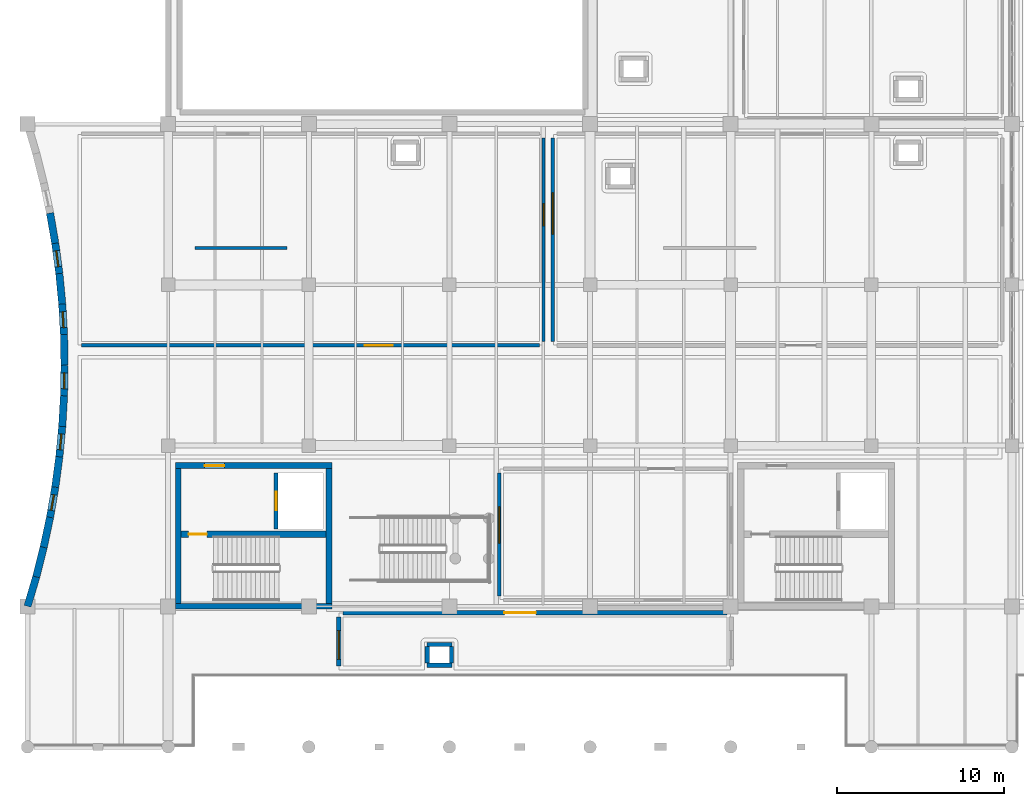
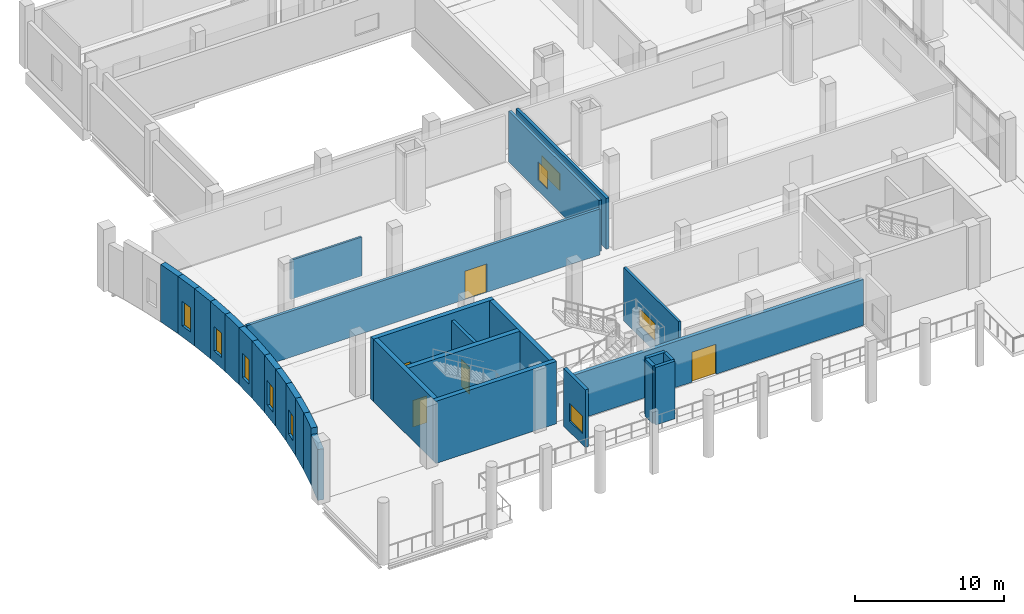
# One storey, part 44 of 66: 30 walls, 9 windows, 5 doors, 14 openings.
"""IFC4 building model written with IfcOpenShell, lengths in metres."""

from ifc_helpers import new_model, si_unit, direction, frame, frame_2d, origin, place, context, subcontext, project, spatial, rectangle, extrude, material, layer, layer_set, type_object, element, fill, save


model = new_model("IFC4")

# Units and contexts
model_context = context("Model", 3, precision=1e-05, world=origin(), true_north=direction((0.0, 1.0)))
body_context = subcontext(model_context, "Body", "Model", "MODEL_VIEW")
ifc_project = project(units=[si_unit("LENGTHUNIT", "METRE"), si_unit("AREAUNIT", "SQUARE_METRE"), si_unit("VOLUMEUNIT", "CUBIC_METRE"), si_unit("PLANEANGLEUNIT", "RADIAN"), si_unit("MASSUNIT", "GRAM", prefix="KILO")], contexts=[model_context])

# Site, building, storey
site_placement = place(None, origin())
site = spatial("IfcSite", under=ifc_project, at=site_placement, CompositionType="ELEMENT")
building_placement = place(site_placement, origin())
building = spatial("IfcBuilding", under=site, at=building_placement, Name="Zulmaris Art Gallery", CompositionType="ELEMENT")
storey_placement = place(building_placement, frame((0.0, 0.0, 5.39990234375)))
storey = spatial("IfcBuildingStorey", under=building, at=storey_placement, Name="L01", CompositionType="ELEMENT", Elevation=5.39990234375)

# Walls
ifc_material_1 = material(Name="Omani Cream Limestone Ashlar Masonry", Category="masonry")
ifc_layer_1 = layer(ifc_material_1, 0.43994140625)
ifc_layer_set_1 = layer_set([ifc_layer_1], Name="Omani Cream Limestone Ashlar Masonry")
wall_type_1 = type_object("IfcWallType", Name="ENV-WALL-EW01", PredefinedType="SOLIDWALL", material=ifc_layer_set_1)
wall_1_placement = place(storey_placement, frame((24.0, 21.60009765625, 0.0), z_axis=(0.0, 0.0, 1.0), x_axis=(0.281804764954, 0.959471768448, 0.0)))
element("IfcWall", 1, at=wall_1_placement, inside=storey, type_object=wall_type_1, Name="L01 Concave Scooped Limestone Chord 1", PredefinedType="SOLIDWALL", context=body_context, shape_type="SweptSolid", body=[
    extrude(rectangle(XDim=1.827880859375, YDim=0.43994140625, at=frame_2d((0.9140625, 0.0))), origin(), (0.0, 0.0, 1.0), 4.170166015625),
])
wall_2_placement = place(storey_placement, frame((24.51513671875, 23.35400390625, 0.0), z_axis=(0.0, 0.0, 1.0), x_axis=(0.245080262371, 0.969502792671, 0.0)))
element("IfcWall", 2, at=wall_2_placement, inside=storey, type_object=wall_type_1, Name="L01 Concave Scooped Limestone Chord 2", PredefinedType="SOLIDWALL", context=body_context, shape_type="SweptSolid", body=[
    extrude(rectangle(XDim=1.827880859375, YDim=0.43994140625, at=frame_2d((0.9140625, 0.0))), origin(), (0.0, 0.0, 1.0), 4.7001953125),
])
wall_3_placement = place(storey_placement, frame((24.963134765625, 25.126220703125, 0.0), z_axis=(0.0, 0.0, 1.0), x_axis=(0.207941813813, 0.978141197409, 0.0)))
element("IfcWall", 3, at=wall_3_placement, inside=storey, type_object=wall_type_1, Name="L01 Concave Scooped Limestone Chord 3", PredefinedType="SOLIDWALL", context=body_context, shape_type="SweptSolid", body=[
    extrude(rectangle(XDim=1.828125, YDim=0.43994140625, at=frame_2d((0.9140625, 0.0))), origin(), (0.0, 0.0, 1.0), 4.7001953125),
])

# Wall, opening, window
wall_4_placement = place(storey_placement, frame((25.34326171875, 26.914306640625, 0.0), z_axis=(0.0, 0.0, 1.0), x_axis=(0.170546420939, 0.985349642667, 0.0)))
wall_4 = element("IfcWall", 4, at=wall_4_placement, inside=storey, type_object=wall_type_1, Name="L01 Concave Scooped Limestone Chord 4", PredefinedType="SOLIDWALL", context=body_context, shape_type="SweptSolid", body=[
    extrude(rectangle(XDim=1.828125, YDim=0.43994140625, at=frame_2d((0.9140625, 0.0))), origin(), (0.0, 0.0, 1.0), 4.7001953125),
])
opening_1_placement = place(wall_4_placement, frame((0.419921875, 0.0, 0.89990234375)))
opening_1 = element("IfcOpeningElement", 5, at=opening_1_placement, cuts=wall_4, Name="Opening W06", PredefinedType="OPENING", context=body_context, shape_type="SweptSolid", body=[
    extrude(rectangle(XDim=0.949951171875, YDim=2.0, at=frame_2d((0.47509765625, 1.0))), frame((0.0, 0.22998046875, 0.0), z_axis=(0.0, -1.0, 0.0), x_axis=(1.0, 0.0, 0.0)), (0.0, 0.0, 1.0), 0.4599609375),
])
ifc_material_2 = material(Name="Art Deco Stepped-Head Pier Window", Category="glass")
window_type_1 = type_object("IfcWindowType", Name="WIN-W06", PartitioningType="SINGLE_PANEL", PredefinedType="WINDOW", material=ifc_material_2)
window_1_placement = place(opening_1_placement, origin())
window_1 = element("IfcWindow", 6, at=window_1_placement, inside=storey, type_object=window_type_1, Name="L01 exterior window W06", OverallHeight=2.0, OverallWidth=0.949951171875, PartitioningType="SINGLE_PANEL", PredefinedType="WINDOW", context=body_context, shape_type="SweptSolid", body=[
    extrude(rectangle(XDim=0.949951171875, YDim=2.0, at=frame_2d((0.47509765625, 1.0))), frame((0.0, 0.030029296875, 0.0), z_axis=(0.0, -1.0, 0.0), x_axis=(1.0, 0.0, 0.0)), (0.0, 0.0, 1.0), 0.06005859375),
])
fill(opening_1, window_1)

# Wall
wall_5_placement = place(storey_placement, frame((25.655029296875, 28.715576171875, 0.0), z_axis=(0.0, 0.0, 1.0), x_axis=(0.132872205914, 0.991133178183, 0.0)))
element("IfcWall", 7, at=wall_5_placement, inside=storey, type_object=wall_type_1, Name="L01 Concave Scooped Limestone Chord 5", PredefinedType="SOLIDWALL", context=body_context, shape_type="SweptSolid", body=[
    extrude(rectangle(XDim=1.828125, YDim=0.43994140625, at=frame_2d((0.9140625, 0.0))), origin(), (0.0, 0.0, 1.0), 4.7001953125),
])

# Wall, opening, window
wall_6_placement = place(storey_placement, frame((25.89794921875, 30.527587890625, 0.0), z_axis=(0.0, 0.0, 1.0), x_axis=(0.095099032001, 0.995467816714, 0.0)))
wall_6 = element("IfcWall", 8, at=wall_6_placement, inside=storey, type_object=wall_type_1, Name="L01 Concave Scooped Limestone Chord 6", PredefinedType="SOLIDWALL", context=body_context, shape_type="SweptSolid", body=[
    extrude(rectangle(XDim=1.827880859375, YDim=0.43994140625, at=frame_2d((0.9140625, 0.0))), origin(), (0.0, 0.0, 1.0), 4.7001953125),
])
opening_2_placement = place(wall_6_placement, frame((0.419921875, 0.0, 0.89990234375)))
opening_2 = element("IfcOpeningElement", 9, at=opening_2_placement, cuts=wall_6, Name="Opening W06", PredefinedType="OPENING", context=body_context, shape_type="SweptSolid", body=[
    extrude(rectangle(XDim=0.949951171875, YDim=2.0, at=frame_2d((0.47509765625, 1.0))), frame((0.0, 0.22998046875, 0.0), z_axis=(0.0, -1.0, 0.0), x_axis=(1.0, 0.0, 0.0)), (0.0, 0.0, 1.0), 0.4599609375),
])
window_2_placement = place(opening_2_placement, origin())
window_2 = element("IfcWindow", 10, at=window_2_placement, inside=storey, type_object=window_type_1, Name="L01 exterior window W06", OverallHeight=2.0, OverallWidth=0.949951171875, PartitioningType="SINGLE_PANEL", PredefinedType="WINDOW", context=body_context, shape_type="SweptSolid", body=[
    extrude(rectangle(XDim=0.949951171875, YDim=2.0, at=frame_2d((0.47509765625, 1.0))), frame((0.0, 0.030029296875, 0.0), z_axis=(0.0, -1.0, 0.0), x_axis=(1.0, 0.0, 0.0)), (0.0, 0.0, 1.0), 0.06005859375),
])
fill(opening_2, window_2)

# Wall
wall_7_placement = place(storey_placement, frame((26.07177734375, 32.34716796875, 0.0), z_axis=(0.0, 0.0, 1.0), x_axis=(0.057023168702, 0.998372855316, 0.0)))
element("IfcWall", 11, at=wall_7_placement, inside=storey, type_object=wall_type_1, Name="L01 Concave Scooped Limestone Chord 7", PredefinedType="SOLIDWALL", context=body_context, shape_type="SweptSolid", body=[
    extrude(rectangle(XDim=1.828125, YDim=0.43994140625, at=frame_2d((0.9140625, 0.0))), origin(), (0.0, 0.0, 1.0), 4.7001953125),
])

# Wall, opening, window
wall_8_placement = place(storey_placement, frame((26.176025390625, 34.17236328125, 0.0), z_axis=(0.0, 0.0, 1.0), x_axis=(0.019098840085, 0.999817600519, 0.0)))
wall_8 = element("IfcWall", 12, at=wall_8_placement, inside=storey, type_object=wall_type_1, Name="L01 Concave Scooped Limestone Chord 8", PredefinedType="SOLIDWALL", context=body_context, shape_type="SweptSolid", body=[
    extrude(rectangle(XDim=1.827880859375, YDim=0.43994140625, at=frame_2d((0.9140625, 0.0))), origin(), (0.0, 0.0, 1.0), 4.7001953125),
])
opening_3_placement = place(wall_8_placement, frame((0.419921875, 0.0, 0.89990234375)))
opening_3 = element("IfcOpeningElement", 13, at=opening_3_placement, cuts=wall_8, Name="Opening W06", PredefinedType="OPENING", context=body_context, shape_type="SweptSolid", body=[
    extrude(rectangle(XDim=0.949951171875, YDim=2.0, at=frame_2d((0.47509765625, 1.0))), frame((0.0, 0.22998046875, 0.0), z_axis=(0.0, -1.0, 0.0), x_axis=(1.0, 0.0, 0.0)), (0.0, 0.0, 1.0), 0.4599609375),
])
window_3_placement = place(opening_3_placement, origin())
window_3 = element("IfcWindow", 14, at=window_3_placement, inside=storey, type_object=window_type_1, Name="L01 exterior window W06", OverallHeight=2.0, OverallWidth=0.949951171875, PartitioningType="SINGLE_PANEL", PredefinedType="WINDOW", context=body_context, shape_type="SweptSolid", body=[
    extrude(rectangle(XDim=0.949951171875, YDim=2.0, at=frame_2d((0.47509765625, 1.0))), frame((0.0, 0.030029296875, 0.0), z_axis=(0.0, -1.0, 0.0), x_axis=(1.0, 0.0, 0.0)), (0.0, 0.0, 1.0), 0.06005859375),
])
fill(opening_3, window_3)

# Wall
wall_9_placement = place(storey_placement, frame((26.2109375, 36.0, 0.0), z_axis=(0.0, 0.0, 1.0), x_axis=(-0.019098840085, 0.999817600519, 0.0)))
element("IfcWall", 15, at=wall_9_placement, inside=storey, type_object=wall_type_1, Name="L01 Concave Scooped Limestone Chord 9", PredefinedType="SOLIDWALL", context=body_context, shape_type="SweptSolid", body=[
    extrude(rectangle(XDim=1.827880859375, YDim=0.43994140625, at=frame_2d((0.9140625, 0.0))), origin(), (0.0, 0.0, 1.0), 4.7001953125),
])

# Wall, opening, window
wall_10_placement = place(storey_placement, frame((26.176025390625, 37.82763671875, 0.0), z_axis=(0.0, 0.0, 1.0), x_axis=(-0.057023168702, 0.998372855316, 0.0)))
wall_10 = element("IfcWall", 16, at=wall_10_placement, inside=storey, type_object=wall_type_1, Name="L01 Concave Scooped Limestone Chord 10", PredefinedType="SOLIDWALL", context=body_context, shape_type="SweptSolid", body=[
    extrude(rectangle(XDim=1.828125, YDim=0.43994140625, at=frame_2d((0.9140625, 0.0))), origin(), (0.0, 0.0, 1.0), 4.7001953125),
])
opening_4_placement = place(wall_10_placement, frame((0.419921875, 0.0, 0.89990234375)))
opening_4 = element("IfcOpeningElement", 17, at=opening_4_placement, cuts=wall_10, Name="Opening W06", PredefinedType="OPENING", context=body_context, shape_type="SweptSolid", body=[
    extrude(rectangle(XDim=0.949951171875, YDim=2.0, at=frame_2d((0.47509765625, 1.0))), frame((0.0, 0.22998046875, 0.0), z_axis=(0.0, -1.0, 0.0), x_axis=(1.0, 0.0, 0.0)), (0.0, 0.0, 1.0), 0.4599609375),
])
window_4_placement = place(opening_4_placement, origin())
window_4 = element("IfcWindow", 18, at=window_4_placement, inside=storey, type_object=window_type_1, Name="L01 exterior window W06", OverallHeight=2.0, OverallWidth=0.949951171875, PartitioningType="SINGLE_PANEL", PredefinedType="WINDOW", context=body_context, shape_type="SweptSolid", body=[
    extrude(rectangle(XDim=0.949951171875, YDim=2.0, at=frame_2d((0.47509765625, 1.0))), frame((0.0, 0.030029296875, 0.0), z_axis=(0.0, -1.0, 0.0), x_axis=(1.0, 0.0, 0.0)), (0.0, 0.0, 1.0), 0.06005859375),
])
fill(opening_4, window_4)

# Wall
wall_11_placement = place(storey_placement, frame((26.07177734375, 39.65283203125, 0.0), z_axis=(0.0, 0.0, 1.0), x_axis=(-0.095099032001, 0.995467816714, 0.0)))
element("IfcWall", 19, at=wall_11_placement, inside=storey, type_object=wall_type_1, Name="L01 Concave Scooped Limestone Chord 11", PredefinedType="SOLIDWALL", context=body_context, shape_type="SweptSolid", body=[
    extrude(rectangle(XDim=1.827880859375, YDim=0.43994140625, at=frame_2d((0.9140625, 0.0))), origin(), (0.0, 0.0, 1.0), 4.7001953125),
])

# Wall, opening, window
wall_12_placement = place(storey_placement, frame((25.89794921875, 41.472412109375, 0.0), z_axis=(0.0, 0.0, 1.0), x_axis=(-0.132872205914, 0.991133178183, 0.0)))
wall_12 = element("IfcWall", 20, at=wall_12_placement, inside=storey, type_object=wall_type_1, Name="L01 Concave Scooped Limestone Chord 12", PredefinedType="SOLIDWALL", context=body_context, shape_type="SweptSolid", body=[
    extrude(rectangle(XDim=1.828125, YDim=0.43994140625, at=frame_2d((0.9140625, 0.0))), origin(), (0.0, 0.0, 1.0), 4.7001953125),
])
opening_5_placement = place(wall_12_placement, frame((0.419921875, 0.0, 0.89990234375)))
opening_5 = element("IfcOpeningElement", 21, at=opening_5_placement, cuts=wall_12, Name="Opening W06", PredefinedType="OPENING", context=body_context, shape_type="SweptSolid", body=[
    extrude(rectangle(XDim=0.949951171875, YDim=2.0, at=frame_2d((0.47509765625, 1.0))), frame((0.0, 0.22998046875, 0.0), z_axis=(0.0, -1.0, 0.0), x_axis=(1.0, 0.0, 0.0)), (0.0, 0.0, 1.0), 0.4599609375),
])
window_5_placement = place(opening_5_placement, origin())
window_5 = element("IfcWindow", 22, at=window_5_placement, inside=storey, type_object=window_type_1, Name="L01 exterior window W06", OverallHeight=2.0, OverallWidth=0.949951171875, PartitioningType="SINGLE_PANEL", PredefinedType="WINDOW", context=body_context, shape_type="SweptSolid", body=[
    extrude(rectangle(XDim=0.949951171875, YDim=2.0, at=frame_2d((0.47509765625, 1.0))), frame((0.0, 0.030029296875, 0.0), z_axis=(0.0, -1.0, 0.0), x_axis=(1.0, 0.0, 0.0)), (0.0, 0.0, 1.0), 0.06005859375),
])
fill(opening_5, window_5)

# Walls
wall_13_placement = place(storey_placement, frame((25.655029296875, 43.284423828125, 0.0), z_axis=(0.0, 0.0, 1.0), x_axis=(-0.170546420939, 0.985349642667, 0.0)))
element("IfcWall", 23, at=wall_13_placement, inside=storey, type_object=wall_type_1, Name="L01 Concave Scooped Limestone Chord 13", PredefinedType="SOLIDWALL", context=body_context, shape_type="SweptSolid", body=[
    extrude(rectangle(XDim=1.828125, YDim=0.43994140625, at=frame_2d((0.9140625, 0.0))), origin(), (0.0, 0.0, 1.0), 4.7001953125),
])
ifc_material_3 = material(Name="Demountable Timber-Clad Exhibition Wall A", Category="wood")
ifc_layer_2 = layer(ifc_material_3, 0.152099609375)
ifc_layer_set_2 = layer_set([ifc_layer_2], Name="Demountable Timber-Clad Exhibition Wall A")
wall_type_2 = type_object("IfcWallType", Name="IWALL-MW01", PredefinedType="MOVABLE", material=ifc_layer_set_2)
wall_14_placement = place(storey_placement, frame((34.0, 43.0, 0.0), z_axis=(0.0, 0.0, 1.0), x_axis=(1.0, 0.0, 0.0)))
element("IfcWall", 24, at=wall_14_placement, inside=storey, type_object=wall_type_2, Name="L01 Movable Gallery Display Wall 5", PredefinedType="MOVABLE", context=body_context, shape_type="SweptSolid", body=[
    extrude(rectangle(XDim=5.5, YDim=0.152099609375, at=frame_2d((2.75, 0.0))), origin(), (0.0, 0.0, 1.0), 3.2001953125),
])

# Wall, opening, window
ifc_material_4 = material(Name="Conservation Laboratory Partition", Category="masonry")
ifc_layer_3 = layer(ifc_material_4, 0.18994140625)
ifc_layer_set_3 = layer_set([ifc_layer_3], Name="Conservation Laboratory Partition")
wall_type_3 = type_object("IfcWallType", Name="IWALL-PW07", PredefinedType="PARTITIONING", material=ifc_layer_set_3)
wall_15_placement = place(storey_placement, frame((52.179931640625, 22.22998046875, 0.0), z_axis=(0.0, 0.0, 1.0), x_axis=(0.0, 1.0, 0.0)))
wall_15 = element("IfcWall", 25, at=wall_15_placement, inside=storey, type_object=wall_type_3, Name="Modern Gulf Painting Gallery W partition", PredefinedType="PARTITIONING", context=body_context, shape_type="SweptSolid", body=[
    extrude(rectangle(XDim=7.340087890625, YDim=0.18994140625, at=frame_2d((3.669921875, 0.0))), origin(), (0.0, 0.0, 1.0), 4.400146484375),
])
opening_6_placement = place(wall_15_placement, frame((3.14990234375, 0.0, 0.89990234375)))
opening_6 = element("IfcOpeningElement", 26, at=opening_6_placement, cuts=wall_15, Name="Opening IW03", PredefinedType="OPENING", context=body_context, shape_type="SweptSolid", body=[
    extrude(rectangle(XDim=2.159912109375, YDim=1.419921875, at=frame_2d((1.080078125, 0.7099609375))), frame((0.0, 0.10498046875, 0.0), z_axis=(0.0, -1.0, 0.0), x_axis=(1.0, 0.0, 0.0)), (0.0, 0.0, 1.0), 0.2099609375),
])
ifc_material_5 = material(Name="Analytical Lab Observation Window", Category="glass")
window_type_2 = type_object("IfcWindowType", Name="IWIN-IW03", PartitioningType="SINGLE_PANEL", PredefinedType="WINDOW", material=ifc_material_5)
window_6_placement = place(opening_6_placement, origin())
window_6 = element("IfcWindow", 27, at=window_6_placement, inside=storey, type_object=window_type_2, Name="L01 interior observation window IW03", OverallHeight=1.419921875, OverallWidth=2.159912109375, PartitioningType="SINGLE_PANEL", PredefinedType="WINDOW", context=body_context, shape_type="SweptSolid", body=[
    extrude(rectangle(XDim=2.159912109375, YDim=1.419921875, at=frame_2d((1.080078125, 0.7099609375))), frame((0.0, 0.030029296875, 0.0), z_axis=(0.0, -1.0, 0.0), x_axis=(1.0, 0.0, 0.0)), (0.0, 0.0, 1.0), 0.06005859375),
])
fill(opening_6, window_6)

# Wall, opening, door
ifc_material_6 = material(Name="Fire-Rated Corridor Compartment Wall", Category="masonry")
ifc_layer_4 = layer(ifc_material_6, 0.205078125)
ifc_layer_set_4 = layer_set([ifc_layer_4], Name="Fire-Rated Corridor Compartment Wall")
wall_type_4 = type_object("IfcWallType", Name="IWALL-PW08", PredefinedType="PARTITIONING", material=ifc_layer_set_4)
wall_16_placement = place(storey_placement, frame((27.22998046875, 37.179931640625, 0.0), z_axis=(0.0, 0.0, 1.0), x_axis=(1.0, 0.0, 0.0)))
wall_16 = element("IfcWall", 28, at=wall_16_placement, inside=storey, type_object=wall_type_4, Name="Calligraphy & Manuscript Gallery S partition", PredefinedType="PARTITIONING", context=body_context, shape_type="SweptSolid", body=[
    extrude(rectangle(XDim=27.340087890625, YDim=0.205078125, at=frame_2d((13.669921875, 0.0))), origin(), (0.0, 0.0, 1.0), 3.77001953125),
])
opening_7_placement = place(wall_16_placement, frame((16.89990234375, 0.0, 0.0)))
opening_7 = element("IfcOpeningElement", 29, at=opening_7_placement, cuts=wall_16, Name="Opening D14", PredefinedType="OPENING", context=body_context, shape_type="SweptSolid", body=[
    extrude(rectangle(XDim=1.679931640625, YDim=2.320068359375, at=frame_2d((0.83984375, 1.16015625))), frame((0.0, 0.112548828125, 0.0), z_axis=(0.0, -1.0, 0.0), x_axis=(1.0, 0.0, 0.0)), (0.0, 0.0, 1.0), 0.22509765625),
])
ifc_material_7 = material(Name="Plant Room Double Access Door", Category="steel")
door_type_1 = type_object("IfcDoorType", Name="IDOOR-D14", OperationType="DOUBLE_SWING_RIGHT", PredefinedType="DOOR", material=ifc_material_7)
door_1_placement = place(opening_7_placement, origin())
door_1 = element("IfcDoor", 30, at=door_1_placement, inside=storey, type_object=door_type_1, Name="Calligraphy & Manuscript Gallery Door", OperationType="DOUBLE_SWING_RIGHT", OverallHeight=2.320068359375, OverallWidth=1.679931640625, PredefinedType="DOOR", context=body_context, shape_type="SweptSolid", body=[
    extrude(rectangle(XDim=1.679931640625, YDim=2.320068359375, at=frame_2d((0.83984375, 1.16015625))), frame((0.0, 0.02490234375, 0.0), z_axis=(0.0, -1.0, 0.0), x_axis=(1.0, 0.0, 0.0)), (0.0, 0.0, 1.0), 0.050048828125),
])
fill(opening_7, door_1)

# Wall, opening, window
wall_17_placement = place(storey_placement, frame((54.820068359375, 37.429931640625, 0.0), z_axis=(0.0, 0.0, 1.0), x_axis=(0.0, 1.0, 0.0)))
wall_17 = element("IfcWall", 31, at=wall_17_placement, inside=storey, type_object=wall_type_4, Name="Calligraphy & Manuscript Gallery E partition", PredefinedType="PARTITIONING", context=body_context, shape_type="SweptSolid", body=[
    extrude(rectangle(XDim=12.14013671875, YDim=0.205078125, at=frame_2d((6.070068359375, 0.0))), origin(), (0.0, 0.0, 1.0), 4.170166015625),
])
opening_8_placement = place(wall_17_placement, frame((6.89990234375, 0.0, 0.89990234375)))
opening_8 = element("IfcOpeningElement", 32, at=opening_8_placement, cuts=wall_17, Name="Opening IW04", PredefinedType="OPENING", context=body_context, shape_type="SweptSolid", body=[
    extrude(rectangle(XDim=1.320068359375, YDim=1.5, at=frame_2d((0.66015625, 0.75))), frame((0.0, 0.112548828125, 0.0), z_axis=(0.0, -1.0, 0.0), x_axis=(1.0, 0.0, 0.0)), (0.0, 0.0, 1.0), 0.22509765625),
])
ifc_material_8 = material(Name="Curatorial Study Vitrine Window", Category="glass")
window_type_3 = type_object("IfcWindowType", Name="IWIN-IW04", PartitioningType="SINGLE_PANEL", PredefinedType="WINDOW", material=ifc_material_8)
window_7_placement = place(opening_8_placement, origin())
window_7 = element("IfcWindow", 33, at=window_7_placement, inside=storey, type_object=window_type_3, Name="L01 interior observation window IW04", OverallHeight=1.5, OverallWidth=1.320068359375, PartitioningType="SINGLE_PANEL", PredefinedType="WINDOW", context=body_context, shape_type="SweptSolid", body=[
    extrude(rectangle(XDim=1.320068359375, YDim=1.5, at=frame_2d((0.66015625, 0.75))), frame((0.0, 0.030029296875, 0.0), z_axis=(0.0, -1.0, 0.0), x_axis=(1.0, 0.0, 0.0)), (0.0, 0.0, 1.0), 0.06005859375),
])
fill(opening_8, window_7)

ifc_material_9 = material(Name="Hygrometric Art Store Buffer Wall", Category="masonry")
ifc_layer_5 = layer(ifc_material_9, 0.219970703125)
ifc_layer_set_5 = layer_set([ifc_layer_5], Name="Hygrometric Art Store Buffer Wall")
wall_type_5 = type_object("IfcWallType", Name="IWALL-PW09", PredefinedType="PARTITIONING", material=ifc_layer_set_5)
wall_18_placement = place(storey_placement, frame((55.3798828125, 37.429931640625, 0.0), z_axis=(0.0, 0.0, 1.0), x_axis=(0.0, 1.0, 0.0)))
wall_18 = element("IfcWall", 34, at=wall_18_placement, inside=storey, type_object=wall_type_5, Name="Contemporary Arab Photography Gallery W partition", PredefinedType="PARTITIONING", context=body_context, shape_type="SweptSolid", body=[
    extrude(rectangle(XDim=12.14013671875, YDim=0.219970703125, at=frame_2d((6.070068359375, 0.0))), origin(), (0.0, 0.0, 1.0), 4.170166015625),
])
opening_9_placement = place(wall_18_placement, frame((6.39990234375, 0.0, 0.89990234375)))
opening_9 = element("IfcOpeningElement", 35, at=opening_9_placement, cuts=wall_18, Name="Opening IW05", PredefinedType="OPENING", context=body_context, shape_type="SweptSolid", body=[
    extrude(rectangle(XDim=2.4599609375, YDim=1.3798828125, at=frame_2d((1.22998046875, 0.68994140625))), frame((0.0, 0.119873046875, 0.0), z_axis=(0.0, -1.0, 0.0), x_axis=(1.0, 0.0, 0.0)), (0.0, 0.0, 1.0), 0.239990234375),
])
ifc_material_10 = material(Name="Workshop Safety Observation Window", Category="glass")
window_type_4 = type_object("IfcWindowType", Name="IWIN-IW05", PartitioningType="SINGLE_PANEL", PredefinedType="WINDOW", material=ifc_material_10)
window_8_placement = place(opening_9_placement, origin())
window_8 = element("IfcWindow", 36, at=window_8_placement, inside=storey, type_object=window_type_4, Name="L01 interior observation window IW05", OverallHeight=1.3798828125, OverallWidth=2.4599609375, PartitioningType="SINGLE_PANEL", PredefinedType="WINDOW", context=body_context, shape_type="SweptSolid", body=[
    extrude(rectangle(XDim=2.4599609375, YDim=1.3798828125, at=frame_2d((1.22998046875, 0.68994140625))), frame((0.0, 0.030029296875, 0.0), z_axis=(0.0, -1.0, 0.0), x_axis=(1.0, 0.0, 0.0)), (0.0, 0.0, 1.0), 0.06005859375),
])
fill(opening_9, window_8)

# Wall, opening, door
ifc_material_11 = material(Name="Core Lobby Fire-Resisting Masonry Wall", Category="masonry")
ifc_layer_6 = layer(ifc_material_11, 0.235107421875)
ifc_layer_set_6 = layer_set([ifc_layer_6], Name="Core Lobby Fire-Resisting Masonry Wall")
wall_type_6 = type_object("IfcWallType", Name="IWALL-PW10", PredefinedType="PARTITIONING", material=ifc_layer_set_6)
wall_19_placement = place(storey_placement, frame((38.85009765625, 26.219970703125, 0.0), z_axis=(0.0, 0.0, 1.0), x_axis=(0.0, 1.0, 0.0)))
wall_19 = element("IfcWall", 37, at=wall_19_placement, inside=storey, type_object=wall_type_6, Name="LF-P1 L01 lift shaft front wall", PredefinedType="PARTITIONING", context=body_context, shape_type="SweptSolid", body=[
    extrude(rectangle(XDim=3.330078125, YDim=0.235107421875, at=frame_2d((1.6650390625, 0.0))), origin(), (0.0, 0.0, 1.0), 4.72021484375),
])
opening_10_placement = place(wall_19_placement, frame((1.114990234375, 0.0, 0.0)))
opening_10 = element("IfcOpeningElement", 38, at=opening_10_placement, cuts=wall_19, Name="Opening LD01", PredefinedType="OPENING", context=body_context, shape_type="SweptSolid", body=[
    extrude(rectangle(XDim=1.10009765625, YDim=2.199951171875, at=frame_2d((0.550048828125, 1.10009765625))), frame((0.0, 0.12744140625, 0.0), z_axis=(0.0, -1.0, 0.0), x_axis=(1.0, 0.0, 0.0)), (0.0, 0.0, 1.0), 0.255126953125),
])
ifc_material_12 = material(Name="Passenger Lift Sliding Landing Door", Category="steel")
door_type_2 = type_object("IfcDoorType", Name="IDOOR-LD01", OperationType="SLIDING_TO_LEFT", PredefinedType="DOOR", material=ifc_material_12)
door_2_placement = place(opening_10_placement, origin())
door_2 = element("IfcDoor", 39, at=door_2_placement, inside=storey, type_object=door_type_2, Name="LF-P1 L01 Lift Landing Sliding Door", OperationType="SLIDING_TO_LEFT", OverallHeight=2.199951171875, OverallWidth=1.10009765625, PredefinedType="DOOR", context=body_context, shape_type="SweptSolid", body=[
    extrude(rectangle(XDim=1.10009765625, YDim=2.199951171875, at=frame_2d((0.550048828125, 1.10009765625))), frame((0.0, 0.02490234375, 0.0), z_axis=(0.0, -1.0, 0.0), x_axis=(1.0, 0.0, 0.0)), (0.0, 0.0, 1.0), 0.050048828125),
])
fill(opening_10, door_2)

# Walls
ifc_material_13 = material(Name="MEP Riser & Smoke Shaft Enclosure Wall", Category="masonry")
ifc_layer_7 = layer(ifc_material_13, 0.2548828125)
ifc_layer_set_7 = layer_set([ifc_layer_7], Name="MEP Riser & Smoke Shaft Enclosure Wall")
wall_type_7 = type_object("IfcWallType", Name="IWALL-PW11", PredefinedType="PARTITIONING", material=ifc_layer_set_7)
for number, where, z_axis, x_axis, name in (
    (40, (47.860107421875, 19.320068359375, 0.0), (0.0, 0.0, 1.0), (1.0, 0.0, 0.0), "L01 MEP Riser 4 N wall"),
    (41, (47.860107421875, 18.080078125, 0.0), (0.0, 0.0, 1.0), (1.0, 0.0, 0.0), "L01 MEP Riser 4 S wall"),
):
    element("IfcWall", number, at=place(storey_placement, frame(where, z_axis=z_axis, x_axis=x_axis)), inside=storey, type_object=wall_type_7, Name=name, PredefinedType="PARTITIONING", context=body_context, shape_type="SweptSolid", body=[
        extrude(rectangle(XDim=1.47998046875, YDim=0.2548828125, at=frame_2d((0.739990234375, 0.0))), origin(), (0.0, 0.0, 1.0), 4.72021484375),
    ])
for number, where, z_axis, x_axis, name in (
    (42, (47.8798828125, 18.199951171875, 0.0), (0.0, 0.0, 1.0), (0.0, 1.0, 0.0), "L01 MEP Riser 4 W wall"),
    (43, (49.320068359375, 18.199951171875, 0.0), (0.0, 0.0, 1.0), (0.0, 1.0, 0.0), "L01 MEP Riser 4 E wall"),
):
    element("IfcWall", number, at=place(storey_placement, frame(where, z_axis=z_axis, x_axis=x_axis)), inside=storey, type_object=wall_type_7, Name=name, PredefinedType="PARTITIONING", context=body_context, shape_type="SweptSolid", body=[
        extrude(rectangle(XDim=1.0, YDim=0.2548828125, at=frame_2d((0.5, 0.0))), origin(), (0.0, 0.0, 1.0), 4.72021484375),
    ])

# Wall, opening, door
ifc_material_14 = material(Name="Plant & Substation Acoustic Blockwork Wall", Category="masonry")
ifc_layer_8 = layer(ifc_material_14, 0.27001953125)
ifc_layer_set_8 = layer_set([ifc_layer_8], Name="Plant & Substation Acoustic Blockwork Wall")
wall_type_8 = type_object("IfcWallType", Name="IWALL-PW12", PredefinedType="PARTITIONING", material=ifc_layer_set_8)
wall_20_placement = place(storey_placement, frame((42.830078125, 21.219970703125, 0.0), z_axis=(0.0, 0.0, 1.0), x_axis=(1.0, 0.0, 0.0)))
wall_20 = element("IfcWall", 44, at=wall_20_placement, inside=storey, type_object=wall_type_8, Name="South Mezzanine Overlook Promenade N partition", PredefinedType="PARTITIONING", context=body_context, shape_type="SweptSolid", body=[
    extrude(rectangle(XDim=22.93994140625, YDim=0.27001953125, at=frame_2d((11.469970703125, 0.0))), origin(), (0.0, 0.0, 1.0), 3.77001953125),
])
opening_11_placement = place(wall_20_placement, frame((9.64990234375, 0.0, 0.0)))
opening_11 = element("IfcOpeningElement", 45, at=opening_11_placement, cuts=wall_20, Name="Opening D16", PredefinedType="OPENING", context=body_context, shape_type="SweptSolid", body=[
    extrude(rectangle(XDim=1.8798828125, YDim=2.4599609375, at=frame_2d((0.93994140625, 1.22998046875))), frame((0.0, 0.14501953125, 0.0), z_axis=(0.0, -1.0, 0.0), x_axis=(1.0, 0.0, 0.0)), (0.0, 0.0, 1.0), 0.2900390625),
])
ifc_material_15 = material(Name="Learning & Library Double Door", Category="timber")
door_type_3 = type_object("IfcDoorType", Name="IDOOR-D16", OperationType="DOUBLE_SWING_RIGHT", PredefinedType="DOOR", material=ifc_material_15)
door_3_placement = place(opening_11_placement, origin())
door_3 = element("IfcDoor", 46, at=door_3_placement, inside=storey, type_object=door_type_3, Name="South Mezzanine Overlook Promenade Door", OperationType="DOUBLE_SWING_RIGHT", OverallHeight=2.4599609375, OverallWidth=1.8798828125, PredefinedType="DOOR", context=body_context, shape_type="SweptSolid", body=[
    extrude(rectangle(XDim=1.8798828125, YDim=2.4599609375, at=frame_2d((0.93994140625, 1.22998046875))), frame((0.0, 0.02490234375, 0.0), z_axis=(0.0, -1.0, 0.0), x_axis=(1.0, 0.0, 0.0)), (0.0, 0.0, 1.0), 0.050048828125),
])
fill(opening_11, door_3)

# Wall, opening, window
wall_21_placement = place(storey_placement, frame((42.580078125, 18.030029296875, 0.0), z_axis=(0.0, 0.0, 1.0), x_axis=(0.0, 1.0, 0.0)))
wall_21 = element("IfcWall", 47, at=wall_21_placement, inside=storey, type_object=wall_type_8, Name="South Mezzanine Overlook Promenade W partition", PredefinedType="PARTITIONING", context=body_context, shape_type="SweptSolid", body=[
    extrude(rectangle(XDim=2.93994140625, YDim=0.27001953125, at=frame_2d((1.469970703125, 0.0))), origin(), (0.0, 0.0, 1.0), 4.72021484375),
])
opening_12_placement = place(wall_21_placement, frame((0.39990234375, 0.0, 0.89990234375)))
opening_12 = element("IfcOpeningElement", 48, at=opening_12_placement, cuts=wall_21, Name="Opening IW06", PredefinedType="OPENING", context=body_context, shape_type="SweptSolid", body=[
    extrude(rectangle(XDim=1.719970703125, YDim=1.4599609375, at=frame_2d((0.85986328125, 0.72998046875))), frame((0.0, 0.14501953125, 0.0), z_axis=(0.0, -1.0, 0.0), x_axis=(1.0, 0.0, 0.0)), (0.0, 0.0, 1.0), 0.2900390625),
])
ifc_material_16 = material(Name="Library Reading Room Internal Glazing", Category="glass")
window_type_5 = type_object("IfcWindowType", Name="IWIN-IW06", PartitioningType="SINGLE_PANEL", PredefinedType="WINDOW", material=ifc_material_16)
window_9_placement = place(opening_12_placement, origin())
window_9 = element("IfcWindow", 49, at=window_9_placement, inside=storey, type_object=window_type_5, Name="L01 interior observation window IW06", OverallHeight=1.4599609375, OverallWidth=1.719970703125, PartitioningType="SINGLE_PANEL", PredefinedType="WINDOW", context=body_context, shape_type="SweptSolid", body=[
    extrude(rectangle(XDim=1.719970703125, YDim=1.4599609375, at=frame_2d((0.85986328125, 0.72998046875))), frame((0.0, 0.030029296875, 0.0), z_axis=(0.0, -1.0, 0.0), x_axis=(1.0, 0.0, 0.0)), (0.0, 0.0, 1.0), 0.06005859375),
])
fill(opening_12, window_9)

# Wall
ifc_material_17 = material(Name="Concrete C50/60", Category="concrete")
ifc_layer_9 = layer(ifc_material_17, 0.35009765625)
ifc_layer_set_9 = layer_set([ifc_layer_9], Name="Concrete C50/60")
wall_type_9 = type_object("IfcWallType", Name="STR-WALL-SW01", PredefinedType="SHEAR", material=ifc_layer_set_9)
wall_22_placement = place(storey_placement, frame((32.824951171875, 21.60009765625, 0.0), z_axis=(0.0, 0.0, 1.0), x_axis=(1.0, 0.0, 0.0)))
element("IfcWall", 50, at=wall_22_placement, inside=storey, type_object=wall_type_9, Name="Core C1 L01 S shear wall", PredefinedType="SHEAR", context=body_context, shape_type="SweptSolid", body=[
    extrude(rectangle(XDim=9.35009765625, YDim=0.35009765625, at=frame_2d((4.675048828125, 0.0))), origin(), (0.0, 0.0, 1.0), 5.10009765625),
])

# Wall, opening, door
wall_23_placement = place(storey_placement, frame((32.824951171875, 30.0, 0.0), z_axis=(0.0, 0.0, 1.0), x_axis=(1.0, 0.0, 0.0)))
wall_23 = element("IfcWall", 51, at=wall_23_placement, inside=storey, type_object=wall_type_9, Name="Core C1 L01 N shear wall", PredefinedType="SHEAR", context=body_context, shape_type="SweptSolid", body=[
    extrude(rectangle(XDim=9.35009765625, YDim=0.35009765625, at=frame_2d((4.675048828125, 0.0))), origin(), (0.0, 0.0, 1.0), 5.10009765625),
])
opening_13_placement = place(wall_23_placement, frame((1.75, 0.0, 0.0)))
opening_13 = element("IfcOpeningElement", 52, at=opening_13_placement, cuts=wall_23, Name="Opening D08", PredefinedType="OPENING", context=body_context, shape_type="SweptSolid", body=[
    extrude(rectangle(XDim=1.179931640625, YDim=2.239990234375, at=frame_2d((0.58984375, 1.1201171875))), frame((0.0, 0.18505859375, 0.0), z_axis=(0.0, -1.0, 0.0), x_axis=(1.0, 0.0, 0.0)), (0.0, 0.0, 1.0), 0.3701171875),
])
ifc_material_18 = material(Name="Firefighting Lobby Compartment Door", Category="steel")
door_type_4 = type_object("IfcDoorType", Name="IDOOR-D08", OperationType="NOTDEFINED", PredefinedType="DOOR", material=ifc_material_18)
door_4_placement = place(opening_13_placement, origin())
door_4 = element("IfcDoor", 53, at=door_4_placement, inside=storey, type_object=door_type_4, Name="Core C1 L01 Lobby Compartment Door", OperationType="SINGLE_SWING_RIGHT", OverallHeight=2.239990234375, OverallWidth=1.179931640625, PredefinedType="DOOR", context=body_context, shape_type="SweptSolid", body=[
    extrude(rectangle(XDim=1.179931640625, YDim=2.239990234375, at=frame_2d((0.58984375, 1.1201171875))), frame((0.0, 0.02490234375, 0.0), z_axis=(0.0, -1.0, 0.0), x_axis=(1.0, 0.0, 0.0)), (0.0, 0.0, 1.0), 0.050048828125),
])
fill(opening_13, door_4)

# Walls
for number, where, z_axis, x_axis, name in (
    (54, (33.0, 21.77490234375, 0.0), (0.0, 0.0, 1.0), (0.0, 1.0, 0.0), "Core C1 L01 W shear wall"),
    (55, (42.0, 21.77490234375, 0.0), (0.0, 0.0, 1.0), (0.0, 1.0, 0.0), "Core C1 L01 E shear wall"),
):
    element("IfcWall", number, at=place(storey_placement, frame(where, z_axis=z_axis, x_axis=x_axis)), inside=storey, type_object=wall_type_9, Name=name, PredefinedType="SHEAR", context=body_context, shape_type="SweptSolid", body=[
        extrude(rectangle(XDim=8.050048828125, YDim=0.35009765625, at=frame_2d((4.02490234375, 0.0))), origin(), (0.0, 0.0, 1.0), 5.10009765625),
    ])

# Wall, opening, door
ifc_layer_10 = layer(ifc_material_17, 0.3798828125)
ifc_layer_set_10 = layer_set([ifc_layer_10], Name="Concrete C50/60")
wall_type_10 = type_object("IfcWallType", Name="STR-WALL-SW02", PredefinedType="SHEAR", material=ifc_layer_set_10)
wall_24_placement = place(storey_placement, frame((33.175048828125, 25.909912109375, 0.0), z_axis=(0.0, 0.0, 1.0), x_axis=(1.0, 0.0, 0.0)))
wall_24 = element("IfcWall", 56, at=wall_24_placement, inside=storey, type_object=wall_type_10, Name="Core C1 L01 DIV shear wall", PredefinedType="SHEAR", context=body_context, shape_type="SweptSolid", body=[
    extrude(rectangle(XDim=8.64990234375, YDim=0.3798828125, at=frame_2d((4.324951171875, 0.0))), origin(), (0.0, 0.0, 1.0), 5.10009765625),
])
opening_14_placement = place(wall_24_placement, frame((0.449951171875, 0.0, 0.0)))
opening_14 = element("IfcOpeningElement", 57, at=opening_14_placement, cuts=wall_24, Name="Opening D07", PredefinedType="OPENING", context=body_context, shape_type="SweptSolid", body=[
    extrude(rectangle(XDim=1.080078125, YDim=2.179931640625, at=frame_2d((0.5400390625, 1.08984375))), frame((0.0, 0.199951171875, 0.0), z_axis=(0.0, -1.0, 0.0), x_axis=(1.0, 0.0, 0.0)), (0.0, 0.0, 1.0), 0.39990234375),
])
ifc_material_19 = material(Name="Stairwell Fire Escape Door", Category="steel")
door_type_5 = type_object("IfcDoorType", Name="IDOOR-D07", OperationType="NOTDEFINED", PredefinedType="DOOR", material=ifc_material_19)
door_5_placement = place(opening_14_placement, origin())
door_5 = element("IfcDoor", 58, at=door_5_placement, inside=storey, type_object=door_type_5, Name="Core C1 L01 Stair ST1 Fire Door", OperationType="SINGLE_SWING_LEFT", OverallHeight=2.179931640625, OverallWidth=1.080078125, PredefinedType="DOOR", context=body_context, shape_type="SweptSolid", body=[
    extrude(rectangle(XDim=1.080078125, YDim=2.179931640625, at=frame_2d((0.5400390625, 1.08984375))), frame((0.0, 0.02490234375, 0.0), z_axis=(0.0, -1.0, 0.0), x_axis=(1.0, 0.0, 0.0)), (0.0, 0.0, 1.0), 0.050048828125),
])
fill(opening_14, door_5)

save(model, "model.ifc")
